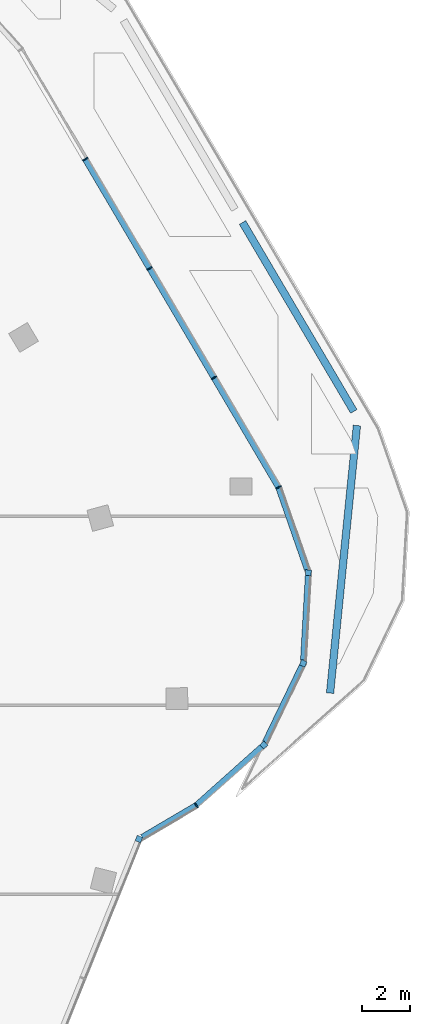
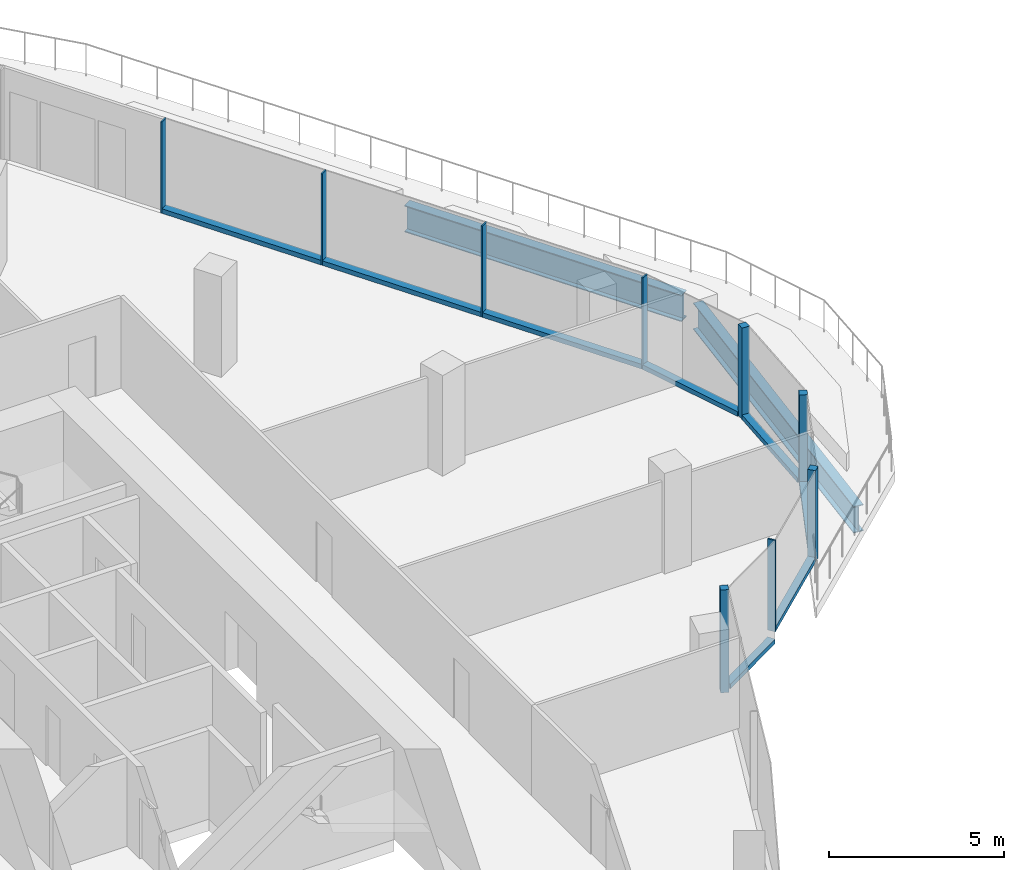
# One storey, part 7 of 17: 15 members, 2 beams, 7 elements without a shape of their own.
"""IFC4 building model written with IfcOpenShell, lengths in metres."""

from ifc_helpers import new_model, si_unit, direction, frame, origin, origin_2d, place, context, subcontext, project, spatial, rectangle, i_section, extrude, material, material_profile, profile_set, type_object, element, aggregate, save


model = new_model("IFC4")

# Units and contexts
model_context = context("Model", 3, precision=1e-05, world=origin(), true_north=direction((0.0, 1.0)))
body_context = subcontext(model_context, "Body", "Model", "MODEL_VIEW")
ifc_project = project(units=[si_unit("LENGTHUNIT", "METRE"), si_unit("AREAUNIT", "SQUARE_METRE"), si_unit("VOLUMEUNIT", "CUBIC_METRE"), si_unit("PLANEANGLEUNIT", "RADIAN"), si_unit("MASSUNIT", "GRAM", prefix="KILO")], contexts=[model_context])

# Site, building, storey
site_placement = place(None, origin())
site = spatial("IfcSite", under=ifc_project, at=site_placement, CompositionType="ELEMENT")
building_placement = place(site_placement, origin())
building = spatial("IfcBuilding", under=site, at=building_placement, Name="Orlundy Tower", CompositionType="ELEMENT")
storey_placement = place(building_placement, frame((0.0, 0.0, 289.39990234375)))
storey = spatial("IfcBuildingStorey", under=building, at=storey_placement, Name="L77", CompositionType="ELEMENT", Elevation=289.39990234375)

# Curtain wall, member
ifc_material_1 = material(Name="Aluminium bronze anodised", Category="aluminium")
curtain_wall_type = type_object("IfcCurtainWallType", Name="CW6 wall", PredefinedType="NOTDEFINED", material=ifc_material_1)
curtain_wall_1_placement = place(storey_placement, origin())
curtain_wall_1 = element("IfcCurtainWall", 1, at=curtain_wall_1_placement, inside=storey, type_object=curtain_wall_type, Name="CW6 run 013", PredefinedType="NOTDEFINED")
ifc_material_2 = material(Name="Aluminium bronze anodised", Category="aluminium")
ifc_material_profile_1 = material_profile(ifc_material_2, rectangle(XDim=0.239990234375, YDim=0.239990234375, at=origin_2d()), Name="CW6 corner post 240x240")
ifc_profile_set_1 = profile_set([ifc_material_profile_1], Name="Aluminium bronze anodised")
member_type_1 = type_object("IfcMemberType", Name="CW6 corner post 240x240", PredefinedType="MULLION", material=ifc_profile_set_1)
member_1_placement = place(storey_placement, frame((37.26025390625, 5.488037109375, 0.0), z_axis=(0.0, 0.0, 1.0), x_axis=(0.998394082315, -0.056650299193, 0.0)))
member_1 = element("IfcMember", 2, at=member_1_placement, type_object=member_type_1, Name="CW6 mullion 32", PredefinedType="MULLION", context=body_context, shape_type="SweptSolid", body=[
    extrude(rectangle(XDim=0.239990234375, YDim=0.239990234375, at=origin_2d()), origin(), (0.0, 0.0, 1.0), 3.18017578125),
])

curtain_wall_2_placement = place(storey_placement, origin())
curtain_wall_2 = element("IfcCurtainWall", 3, at=curtain_wall_2_placement, inside=storey, type_object=curtain_wall_type, Name="CW6 run 014", PredefinedType="NOTDEFINED")
member_2_placement = place(storey_placement, frame((37.04736328125, 1.7392578125, 0.0), z_axis=(0.0, 0.0, 1.0), x_axis=(0.900704581715, -0.434432108019, 0.0)))
member_2 = element("IfcMember", 4, at=member_2_placement, type_object=member_type_1, Name="CW6 mullion 33", PredefinedType="MULLION", context=body_context, shape_type="SweptSolid", body=[
    extrude(rectangle(XDim=0.239990234375, YDim=0.239990234375, at=origin_2d()), origin(), (0.0, 0.0, 1.0), 3.18017578125),
])

curtain_wall_3_placement = place(storey_placement, origin())
curtain_wall_3 = element("IfcCurtainWall", 5, at=curtain_wall_3_placement, inside=storey, type_object=curtain_wall_type, Name="CW6 run 015", PredefinedType="NOTDEFINED")
member_3_placement = place(storey_placement, frame((35.416748046875, -1.6416015625, 0.0), z_axis=(0.0, 0.0, 1.0), x_axis=(0.665919287575, -0.746023794818, 0.0)))
member_3 = element("IfcMember", 6, at=member_3_placement, type_object=member_type_1, Name="CW6 mullion 34", PredefinedType="MULLION", context=body_context, shape_type="SweptSolid", body=[
    extrude(rectangle(XDim=0.239990234375, YDim=0.239990234375, at=origin_2d()), origin(), (0.0, 0.0, 1.0), 3.18017578125),
])

curtain_wall_4_placement = place(storey_placement, origin())
curtain_wall_4 = element("IfcCurtainWall", 7, at=curtain_wall_4_placement, inside=storey, type_object=curtain_wall_type, Name="CW6 run 017", PredefinedType="NOTDEFINED")
member_4_placement = place(storey_placement, frame((30.25, -5.53271484375, -0.39990234375), z_axis=(0.0, 0.0, 1.0), x_axis=(0.927195304229, -0.37457825326, 0.0)))
member_4 = element("IfcMember", 8, at=member_4_placement, type_object=member_type_1, Name="CW6 mullion 36", PredefinedType="MULLION", context=body_context, shape_type="SweptSolid", body=[
    extrude(rectangle(XDim=0.239990234375, YDim=0.239990234375, at=origin_2d()), origin(), (0.0, 0.0, 1.0), 3.580078125),
])
aggregate(curtain_wall_4, [member_4])

# Curtain wall, members
curtain_wall_5_placement = place(storey_placement, origin())
curtain_wall_5 = element("IfcCurtainWall", 9, at=curtain_wall_5_placement, inside=storey, type_object=curtain_wall_type, Name="CW6 run 011", PredefinedType="NOTDEFINED")
ifc_material_3 = material(Name="Aluminium bronze anodised", Category="aluminium")
ifc_material_profile_2 = material_profile(ifc_material_3, rectangle(XDim=0.239990234375, YDim=0.050048828125, at=origin_2d()), Name="CW6 mullion 50x240")
ifc_profile_set_2 = profile_set([ifc_material_profile_2], Name="Aluminium bronze anodised")
member_type_2 = type_object("IfcMemberType", Name="CW6 mullion 50x240", PredefinedType="MULLION", material=ifc_profile_set_2)
member_5_placement = place(storey_placement, frame((28.02685546875, 22.602294921875, 0.0), z_axis=(0.0, 0.0, 1.0), x_axis=(0.861632919827, 0.507531980737, 0.0)))
member_5 = element("IfcMember", 10, at=member_5_placement, type_object=member_type_2, Name="CW6 mullion 28", PredefinedType="MULLION", context=body_context, shape_type="SweptSolid", body=[
    extrude(rectangle(XDim=0.239990234375, YDim=0.050048828125, at=origin_2d()), origin(), (0.0, 0.0, 1.0), 3.18017578125),
])
member_6_placement = place(storey_placement, frame((30.69140625, 18.078857421875, 0.0), z_axis=(0.0, 0.0, 1.0), x_axis=(0.861632919827, 0.507531980737, 0.0)))
member_6 = element("IfcMember", 11, at=member_6_placement, type_object=member_type_2, Name="CW6 mullion 29", PredefinedType="MULLION", context=body_context, shape_type="SweptSolid", body=[
    extrude(rectangle(XDim=0.239990234375, YDim=0.050048828125, at=origin_2d()), origin(), (0.0, 0.0, 1.0), 3.18017578125),
])
member_7_placement = place(storey_placement, frame((33.35595703125, 13.555419921875, 0.0), z_axis=(0.0, 0.0, 1.0), x_axis=(0.861632919827, 0.507531980737, 0.0)))
member_7 = element("IfcMember", 12, at=member_7_placement, type_object=member_type_2, Name="CW6 mullion 30", PredefinedType="MULLION", context=body_context, shape_type="SweptSolid", body=[
    extrude(rectangle(XDim=0.239990234375, YDim=0.050048828125, at=origin_2d()), origin(), (0.0, 0.0, 1.0), 3.18017578125),
])

# Curtain wall, member
curtain_wall_6_placement = place(storey_placement, origin())
curtain_wall_6 = element("IfcCurtainWall", 13, at=curtain_wall_6_placement, inside=storey, type_object=curtain_wall_type, Name="CW6 run 012", PredefinedType="NOTDEFINED")
member_8_placement = place(storey_placement, frame((36.0263671875, 9.021728515625, 0.0), z_axis=(0.0, 0.0, 1.0), x_axis=(0.907242839631, 0.420607215747, 0.0)))
member_8 = element("IfcMember", 14, at=member_8_placement, type_object=member_type_2, Name="CW6 mullion 31", PredefinedType="MULLION", context=body_context, shape_type="SweptSolid", body=[
    extrude(rectangle(XDim=0.239990234375, YDim=0.050048828125, at=origin_2d()), origin(), (0.0, 0.0, 1.0), 3.18017578125),
])

curtain_wall_7_placement = place(storey_placement, origin())
curtain_wall_7 = element("IfcCurtainWall", 15, at=curtain_wall_7_placement, inside=storey, type_object=curtain_wall_type, Name="CW6 run 016", PredefinedType="NOTDEFINED")
member_9_placement = place(storey_placement, frame((32.6240234375, -4.13427734375, 0.0), z_axis=(0.0, 0.0, 1.0), x_axis=(0.589554347127, -0.807728711749, 0.0)))
member_9 = element("IfcMember", 16, at=member_9_placement, type_object=member_type_2, Name="CW6 mullion 35", PredefinedType="MULLION", context=body_context, shape_type="SweptSolid", body=[
    extrude(rectangle(XDim=0.239990234375, YDim=0.050048828125, at=origin_2d()), origin(), (0.0, 0.0, 1.0), 3.18017578125),
])

# Member
ifc_material_4 = material(Name="Aluminium bronze anodised", Category="aluminium")
ifc_material_profile_3 = material_profile(ifc_material_4, rectangle(XDim=0.239990234375, YDim=0.159912109375, at=origin_2d()), Name="CW6 transom 240x160")
ifc_profile_set_3 = profile_set([ifc_material_profile_3], Name="Aluminium bronze anodised")
member_type_3 = type_object("IfcMemberType", Name="CW6 transom 240x160", PredefinedType="USERDEFINED", material=ifc_profile_set_3)
member_10_placement = place(storey_placement, frame((28.03955078125, 22.580810546875, 0.080078125), z_axis=(0.50753885769, -0.861628869024, 0.0), x_axis=(0.861628869024, 0.50753885769, 0.0)))
member_10 = element("IfcMember", 17, at=member_10_placement, type_object=member_type_3, Name="CW6 transom", ObjectType="TRANSOM", PredefinedType="USERDEFINED", context=body_context, shape_type="SweptSolid", body=[
    extrude(rectangle(XDim=0.239990234375, YDim=0.159912109375, at=origin_2d()), origin(), (0.0, 0.0, 1.0), 15.71142578125),
])

aggregate(curtain_wall_5, [member_5, member_6, member_7, member_10])

member_11_placement = place(storey_placement, frame((36.03466796875, 8.998046875, 0.080078125), z_axis=(0.329607742896, -0.944117967111, 0.0), x_axis=(0.944117967111, 0.329607742896, 0.0)))
member_11 = element("IfcMember", 18, at=member_11_placement, type_object=member_type_3, Name="CW6 transom", ObjectType="TRANSOM", PredefinedType="USERDEFINED", context=body_context, shape_type="SweptSolid", body=[
    extrude(rectangle(XDim=0.239990234375, YDim=0.159912109375, at=origin_2d()), origin(), (0.0, 0.0, 1.0), 3.587890625),
])

aggregate(curtain_wall_6, [member_8, member_11])

member_12_placement = place(storey_placement, frame((37.25341796875, 5.3681640625, 0.080078125), z_axis=(-0.056635158198, -0.998394941321, 0.0), x_axis=(0.998394941321, -0.056635158198, 0.0)))
member_12 = element("IfcMember", 19, at=member_12_placement, type_object=member_type_3, Name="CW6 transom", ObjectType="TRANSOM", PredefinedType="USERDEFINED", context=body_context, shape_type="SweptSolid", body=[
    extrude(rectangle(XDim=0.239990234375, YDim=0.159912109375, at=origin_2d()), origin(), (0.0, 0.0, 1.0), 3.504638671875),
])

aggregate(curtain_wall_1, [member_1, member_12])

member_13_placement = place(storey_placement, frame((36.995361328125, 1.63134765625, 0.080078125), z_axis=(-0.434431430652, -0.900704908426, 0.0), x_axis=(0.900704908426, -0.434431430652, 0.0)))
member_13 = element("IfcMember", 20, at=member_13_placement, type_object=member_type_3, Name="CW6 transom", ObjectType="TRANSOM", PredefinedType="USERDEFINED", context=body_context, shape_type="SweptSolid", body=[
    extrude(rectangle(XDim=0.239990234375, YDim=0.159912109375, at=origin_2d()), origin(), (0.0, 0.0, 1.0), 3.50390625),
])

aggregate(curtain_wall_2, [member_2, member_13])

member_14_placement = place(storey_placement, frame((35.3271484375, -1.721435546875, 0.080078125), z_axis=(-0.746003870069, -0.665941608433, 0.0), x_axis=(0.665941608433, -0.746003870069, 0.0)))
member_14 = element("IfcMember", 21, at=member_14_placement, type_object=member_type_3, Name="CW6 transom", ObjectType="TRANSOM", PredefinedType="USERDEFINED", context=body_context, shape_type="SweptSolid", body=[
    extrude(rectangle(XDim=0.239990234375, YDim=0.159912109375, at=origin_2d()), origin(), (0.0, 0.0, 1.0), 3.598388671875),
])

aggregate(curtain_wall_3, [member_3, member_14])

member_15_placement = place(storey_placement, frame((32.6025390625, -4.147216796875, -0.31982421875), z_axis=(-0.861649351367, -0.507504084012, 0.0), x_axis=(0.507504084012, -0.861649351367, 0.0)))
member_15 = element("IfcMember", 22, at=member_15_placement, type_object=member_type_3, Name="CW6 transom", ObjectType="TRANSOM", PredefinedType="USERDEFINED", context=body_context, shape_type="SweptSolid", body=[
    extrude(rectangle(XDim=0.239990234375, YDim=0.159912109375, at=origin_2d()), origin(), (0.0, 0.0, 1.0), 2.578857421875),
])

aggregate(curtain_wall_7, [member_9, member_15])

# Beams
ifc_material_5 = material(Name="Steel ASTM A992 Gr 50", Category="steel")
ifc_material_profile_4 = material_profile(ifc_material_5, i_section(OverallWidth=0.3076171875, OverallDepth=0.9267578125, WebThickness=0.01953125, FlangeThickness=0.031982421875, at=origin_2d()), Name="W36X194")
ifc_profile_set_4 = profile_set([ifc_material_profile_4], Name="Steel ASTM A992 Gr 50")
beam_type = type_object("IfcBeamType", Name="TERRACE EDGE BEAM beam W36X194", PredefinedType="BEAM", material=ifc_profile_set_4)
beam_1_placement = place(storey_placement, frame((34.538818359375, 19.9794921875, -0.86328125), z_axis=(0.507519977789, -0.861639989871, 0.0), x_axis=(0.861639989871, 0.507519977789, 0.0)))
element("IfcBeam", 23, at=beam_1_placement, inside=storey, type_object=beam_type, Name="Terrace edge beam L77-1-03", PredefinedType="BEAM", context=body_context, shape_type="SweptSolid", body=[
    extrude(i_section(OverallWidth=0.3076171875, OverallDepth=0.9267578125, WebThickness=0.01953125, FlangeThickness=0.031982421875, at=origin_2d()), origin(), (0.0, 0.0, 1.0), 9.070068359375),
])
beam_2_placement = place(storey_placement, frame((39.2705078125, 11.57958984375, -0.86328125), z_axis=(-0.099855645341, -0.995001934719, 0.0), x_axis=(0.995001934719, -0.099855645341, 0.0)))
element("IfcBeam", 24, at=beam_2_placement, inside=storey, type_object=beam_type, Name="Terrace edge beam L77-1-04", PredefinedType="BEAM", context=body_context, shape_type="SweptSolid", body=[
    extrude(i_section(OverallWidth=0.3076171875, OverallDepth=0.9267578125, WebThickness=0.01953125, FlangeThickness=0.031982421875, at=origin_2d()), origin(), (0.0, 0.0, 1.0), 11.126953125),
])

save(model, "model.ifc")
